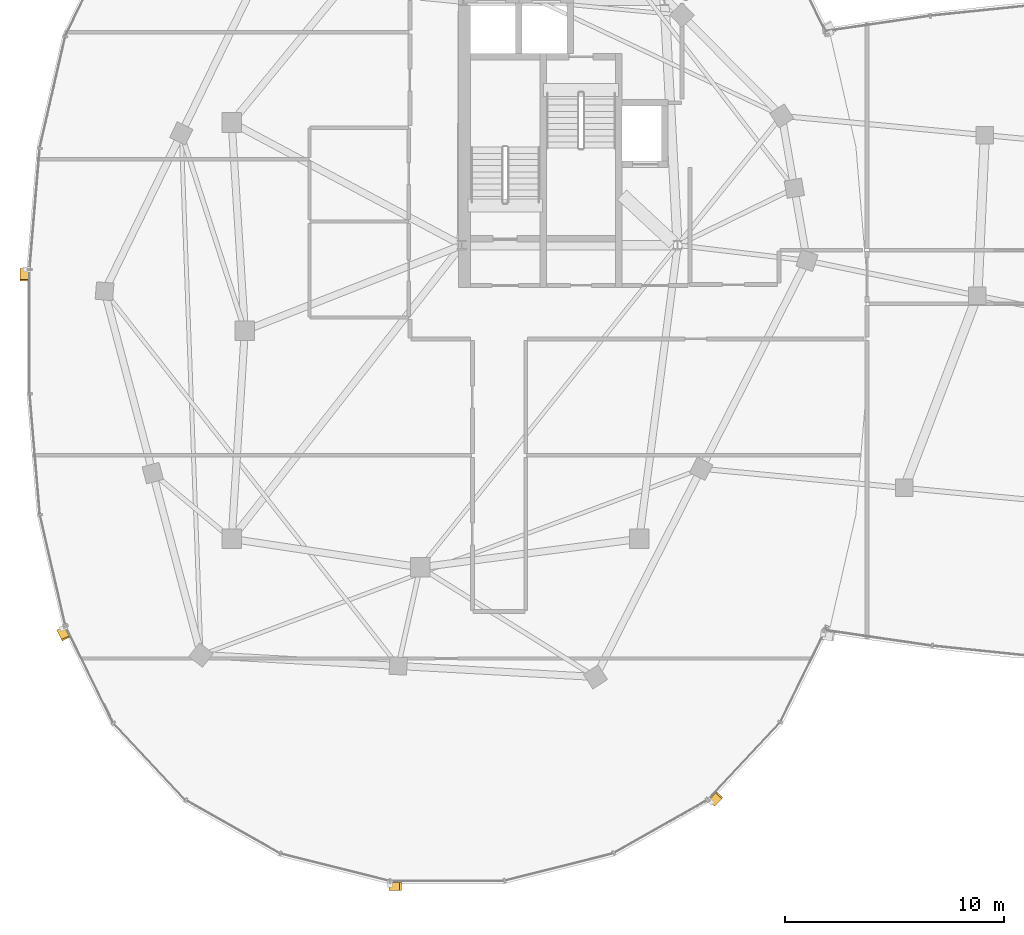
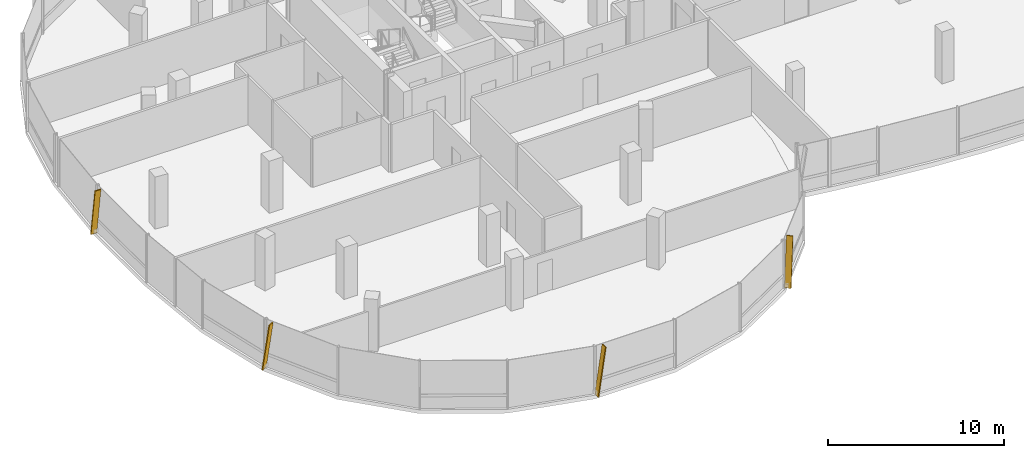
# One storey, part 21 of 26: 4 shading devices.
"""IFC4 building model written with IfcOpenShell, lengths in metres."""

from ifc_helpers import new_model, si_unit, direction, frame, origin, origin_2d, place, context, subcontext, project, spatial, rectangle, extrude, material, material_profile, profile_set, type_object, element, save


model = new_model("IFC4")

# Units and contexts
model_context = context("Model", 3, precision=1e-05, world=origin(), true_north=direction((0.0, 1.0)))
body_context = subcontext(model_context, "Body", "Model", "MODEL_VIEW")
ifc_project = project(units=[si_unit("LENGTHUNIT", "METRE"), si_unit("AREAUNIT", "SQUARE_METRE"), si_unit("VOLUMEUNIT", "CUBIC_METRE"), si_unit("PLANEANGLEUNIT", "RADIAN"), si_unit("MASSUNIT", "GRAM", prefix="KILO"), si_unit("THERMODYNAMICTEMPERATUREUNIT", "KELVIN"), si_unit("POWERUNIT", "WATT")], contexts=[model_context])

# Site, building, storey
site_placement = place(None, origin())
site = spatial("IfcSite", under=ifc_project, at=site_placement, CompositionType="ELEMENT")
building_placement = place(site_placement, origin())
building = spatial("IfcBuilding", under=site, at=building_placement, Name="Cundina Bronze Exchange", CompositionType="ELEMENT")
storey_placement = place(building_placement, frame((0.0, 0.0, 264.800048828125)))
storey = spatial("IfcBuildingStorey", under=building, at=storey_placement, Name="L70", CompositionType="ELEMENT", Elevation=264.800048828125)

# Shading devices
ifc_material = material(Name="Anodised Bronze Aluminium 6063-T6", Category="aluminium")
ifc_material_profile = material_profile(ifc_material, rectangle(XDim=0.070068359375, YDim=0.3798828125, at=origin_2d()), Name="FIN70X380", Category="aluminium")
ifc_profile_set = profile_set([ifc_material_profile], Name="Anodised Bronze Aluminium 6063-T6")
shading_device_type = type_object("IfcShadingDeviceType", Name="SHD-FIN-BRZ380", PredefinedType="USERDEFINED", material=ifc_profile_set)
for number, where, z_axis, x_axis, name in (
    (1, (-51.26904296875, 2.79150390625, 0.02001953125), (0.0, -0.143932024572, 0.989587576874), (0.0, 0.989587576874, 0.143932024572), "L70 Diagonal Bronze Solar Fin 5"),
    (2, (-49.593505859375, -13.614013671875, 0.02001953125), (0.063400368732, -0.129216686851, 0.989587510574), (-0.435900311632, 0.888411143223, 0.143932480407), "L70 Diagonal Bronze Solar Fin 1"),
    (3, (-34.576416015625, -25.360107421875, 0.02001953125), (0.143932024572, 0.0, 0.989587576874), (-0.989587576874, 0.0, 0.143932024572), "L70 Diagonal Bronze Solar Fin 5"),
    (4, (-19.877685546875, -21.55078125, 0.02001953125), (0.098541444371, 0.10491076507, 0.989587446926), (-0.677505727677, -0.721296959704, 0.143932918008), "L70 Diagonal Bronze Solar Fin 1"),
):
    element("IfcShadingDevice", number, at=place(storey_placement, frame(where, z_axis=z_axis, x_axis=x_axis)), inside=storey, type_object=shading_device_type, Name=name, ObjectType="FIN", PredefinedType="USERDEFINED", context=body_context, shape_type="SweptSolid", body=[
        extrude(rectangle(XDim=0.070068359375, YDim=0.3798828125, at=origin_2d()), origin(), (0.0, 0.0, 1.0), 3.334716796875),
    ])

save(model, "model.ifc")
